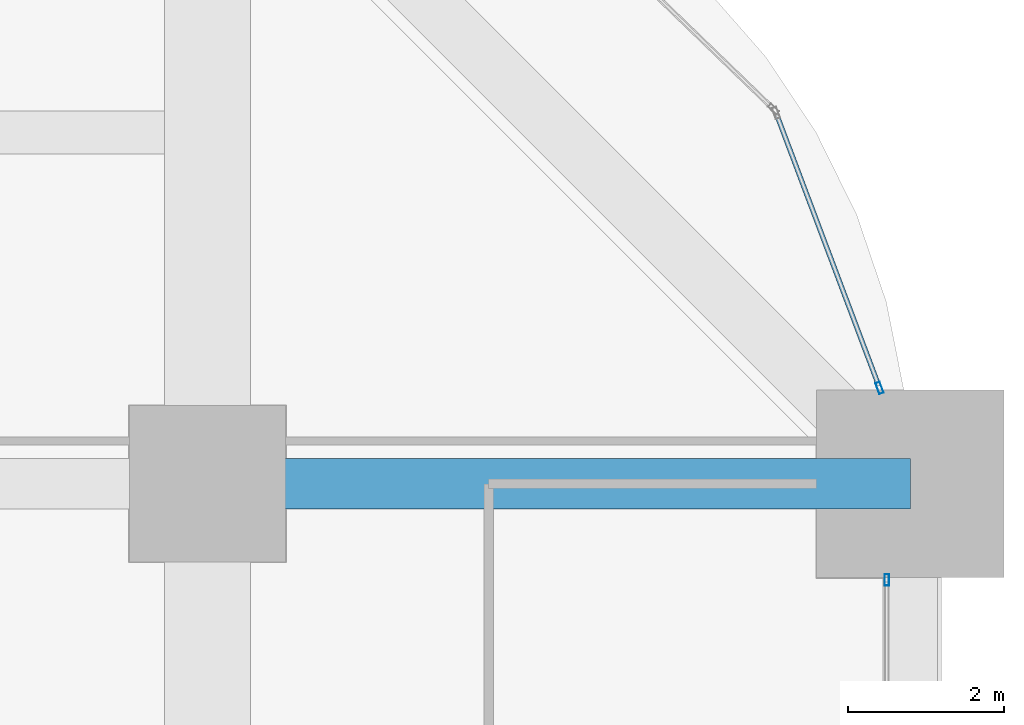
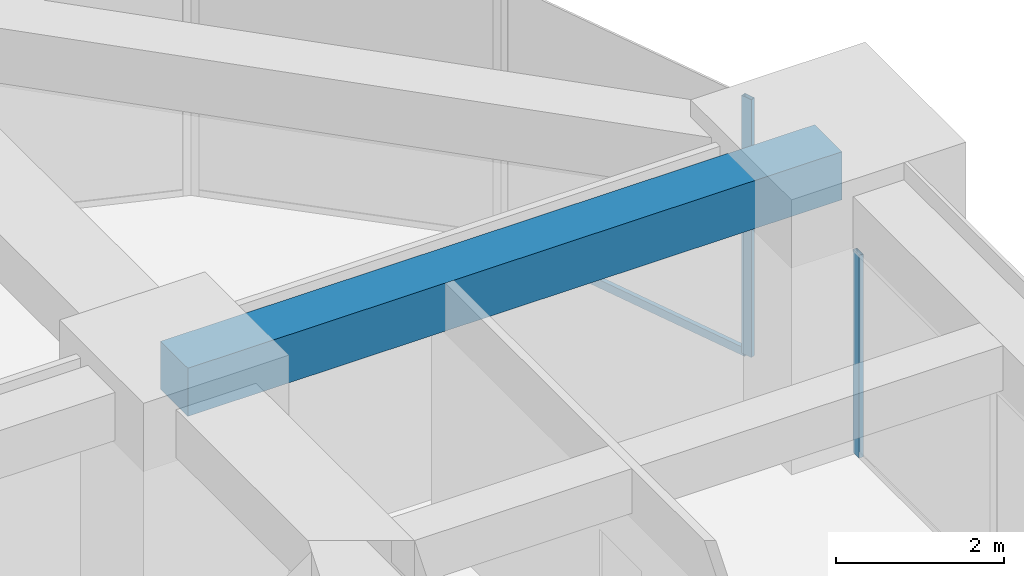
# One storey, part 32 of 41: 3 members, 1 beam, 2 elements without a shape of their own.
"""IFC4 building model written with IfcOpenShell, lengths in metres."""

from ifc_helpers import new_model, si_unit, direction, frame, origin, origin_2d, place, context, subcontext, project, spatial, rectangle, hollow_rectangle, extrude, material, material_profile, profile_set, type_object, element, aggregate, save


model = new_model("IFC4")

# Units and contexts
model_context = context("Model", 3, precision=1e-05, world=origin(), true_north=direction((0.0, 1.0)))
body_context = subcontext(model_context, "Body", "Model", "MODEL_VIEW")
ifc_project = project(units=[si_unit("LENGTHUNIT", "METRE"), si_unit("AREAUNIT", "SQUARE_METRE"), si_unit("VOLUMEUNIT", "CUBIC_METRE"), si_unit("PLANEANGLEUNIT", "RADIAN"), si_unit("MASSUNIT", "GRAM", prefix="KILO")], contexts=[model_context])

# Site, building, storey
site_placement = place(None, origin())
site = spatial("IfcSite", under=ifc_project, at=site_placement, CompositionType="ELEMENT")
building_placement = place(site_placement, origin())
building = spatial("IfcBuilding", under=site, at=building_placement, Name="Zorevar Civic Tower", CompositionType="ELEMENT")
storey_placement = place(building_placement, frame((0.0, 0.0, 109.0)))
storey = spatial("IfcBuildingStorey", under=building, at=storey_placement, Name="L26", CompositionType="ELEMENT", Elevation=109.0)

# Beam
ifc_material_1 = material(Name="Concrete C50/60", Category="concrete")
ifc_material_profile_1 = material_profile(ifc_material_1, rectangle(XDim=0.64990234375, YDim=0.699951171875, at=origin_2d()), Name="RC 650x700")
ifc_profile_set_1 = profile_set([ifc_material_profile_1], Name="Concrete C50/60")
beam_type = type_object("IfcBeamType", Name="Beam RC 650x700", PredefinedType="BEAM", material=ifc_profile_set_1)
beam_placement = place(storey_placement, frame((54.0, 36.0, 3.39990234375), z_axis=(1.0, 0.0, 0.0), x_axis=(0.0, 1.0, 0.0)))
element("IfcBeam", 1, at=beam_placement, inside=storey, type_object=beam_type, Name="Girder L27", PredefinedType="BEAM", context=body_context, shape_type="SweptSolid", body=[
    extrude(rectangle(XDim=0.64990234375, YDim=0.699951171875, at=origin_2d()), origin(), (0.0, 0.0, 1.0), 9.0),
])

# Curtain wall, member
ifc_material_2 = material(Name="Dark grey solar-control glass in black aluminium frame", Category="aluminium")
curtain_wall_type = type_object("IfcCurtainWallType", Name="Curtain wall CW3 mid zone", PredefinedType="NOTDEFINED", material=ifc_material_2)
curtain_wall_1_placement = place(storey_placement, origin())
curtain_wall_1 = element("IfcCurtainWall", 2, at=curtain_wall_1_placement, inside=storey, type_object=curtain_wall_type, Name="CW3 L26", PredefinedType="NOTDEFINED")
ifc_material_3 = material(Name="Aluminium, black anodised", Category="aluminium")
ifc_material_profile_2 = material_profile(ifc_material_3, hollow_rectangle(XDim=0.06005859375, YDim=0.14990234375, WallThickness=0.00390625, at=origin_2d()), Name="AL 150x60x4")
ifc_profile_set_2 = profile_set([ifc_material_profile_2], Name="Aluminium, black anodised")
member_type_1 = type_object("IfcMemberType", Name="CW3 mullion AL 150x60x4", PredefinedType="MULLION", material=ifc_profile_set_2)
member_1_placement = place(storey_placement, frame((62.699951171875, 34.77001953125, 0.0), z_axis=(0.0, 0.0, 1.0), x_axis=(-1.0, 0.0, 0.0)))
member_1 = element("IfcMember", 3, at=member_1_placement, type_object=member_type_1, Name="CW3 mullion 3", PredefinedType="MULLION", context=body_context, shape_type="SweptSolid", body=[
    extrude(hollow_rectangle(XDim=0.06005859375, YDim=0.14990234375, WallThickness=0.00390625, at=origin_2d()), origin(), (0.0, 0.0, 1.0), 2.949951171875),
])
aggregate(curtain_wall_1, [member_1])

# Curtain wall, members
curtain_wall_2_placement = place(storey_placement, origin())
curtain_wall_2 = element("IfcCurtainWall", 4, at=curtain_wall_2_placement, inside=storey, type_object=curtain_wall_type, Name="CW3 L26", PredefinedType="NOTDEFINED")
member_2_placement = place(storey_placement, frame((62.606201171875, 37.22802734375, 0.0), z_axis=(0.0, 0.0, 1.0), x_axis=(-0.935950528564, -0.352131520999, 0.0)))
member_2 = element("IfcMember", 5, at=member_2_placement, type_object=member_type_1, Name="CW3 mullion 1", PredefinedType="MULLION", context=body_context, shape_type="SweptSolid", body=[
    extrude(hollow_rectangle(XDim=0.06005859375, YDim=0.14990234375, WallThickness=0.00390625, at=origin_2d()), origin(), (0.0, 0.0, 1.0), 3.75),
])
ifc_material_4 = material(Name="Aluminium, black anodised", Category="aluminium")
ifc_material_profile_3 = material_profile(ifc_material_4, hollow_rectangle(XDim=0.06005859375, YDim=0.1201171875, WallThickness=0.0029296875, at=origin_2d()), Name="AL 120x60x3")
ifc_profile_set_3 = profile_set([ifc_material_profile_3], Name="Aluminium, black anodised")
member_type_2 = type_object("IfcMemberType", Name="CW3 transom AL 120x60x3", PredefinedType="USERDEFINED", material=ifc_profile_set_3)
member_3_placement = place(storey_placement, frame((62.595703125, 37.256103515625, 0.030029296875), z_axis=(-0.352142207579, 0.935946507895, 0.0), x_axis=(-0.935946507895, -0.352142207579, 0.0)))
member_3 = element("IfcMember", 6, at=member_3_placement, type_object=member_type_2, Name="CW3 sill transom", ObjectType="TRANSOM", PredefinedType="USERDEFINED", context=body_context, shape_type="SweptSolid", body=[
    extrude(hollow_rectangle(XDim=0.06005859375, YDim=0.1201171875, WallThickness=0.0029296875, at=origin_2d()), origin(), (0.0, 0.0, 1.0), 3.7021484375),
])
aggregate(curtain_wall_2, [member_2, member_3])

save(model, "model.ifc")
